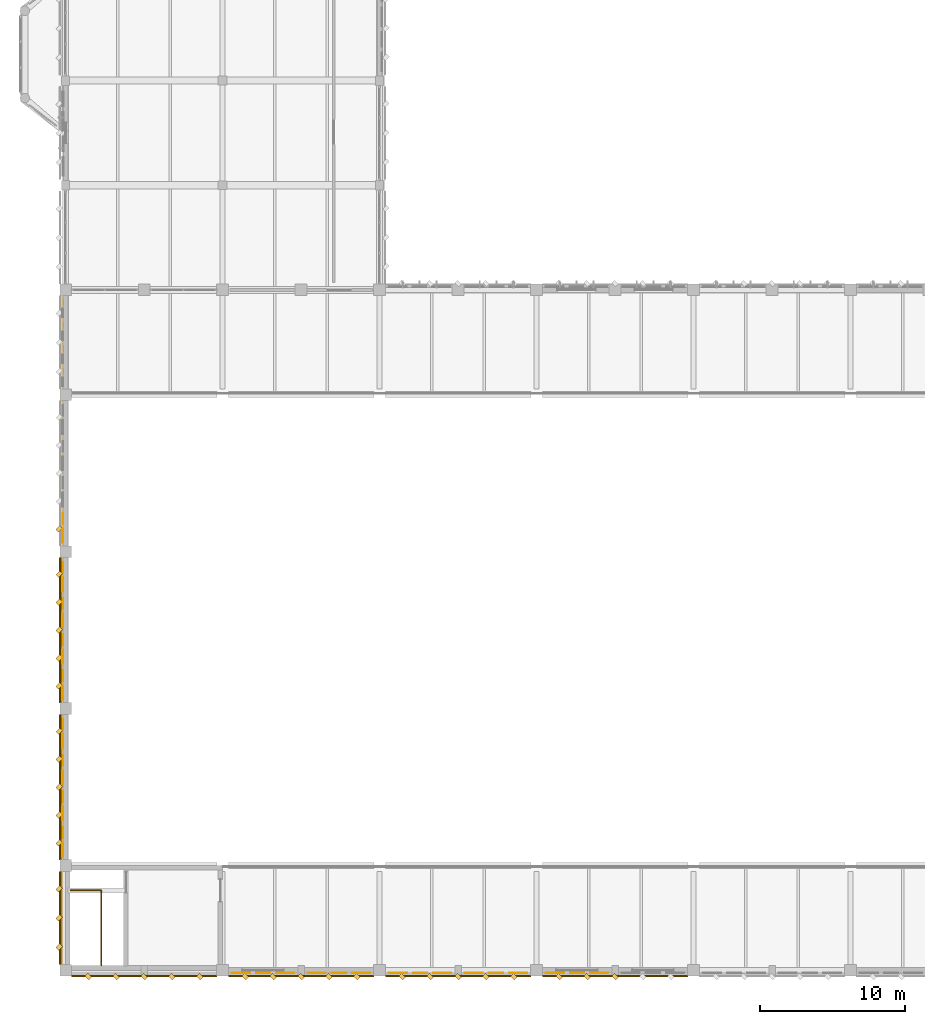
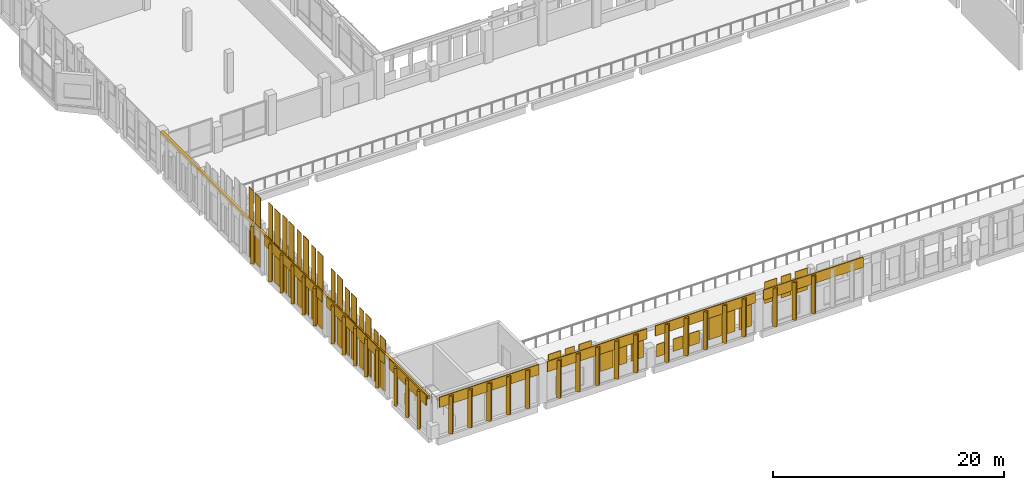
# One storey, part 139 of 158: 73 coverings, 1 railing.
"""IFC4 building model written with IfcOpenShell, lengths in metres."""

from ifc_helpers import new_model, si_unit, direction, frame, origin, origin_2d, place, context, subcontext, project, spatial, rectangle, circle, extrude, material, layer, layer_set, type_object, element, save


model = new_model("IFC4")

# Units and contexts
model_context = context("Model", 3, precision=1e-05, world=origin(), true_north=direction((0.0, 1.0)))
body_context = subcontext(model_context, "Body", "Model", "MODEL_VIEW")
ifc_project = project(units=[si_unit("LENGTHUNIT", "METRE"), si_unit("AREAUNIT", "SQUARE_METRE"), si_unit("VOLUMEUNIT", "CUBIC_METRE"), si_unit("PLANEANGLEUNIT", "RADIAN"), si_unit("MASSUNIT", "GRAM", prefix="KILO")], contexts=[model_context])

# Site, building, storey
site_placement = place(None, origin())
site = spatial("IfcSite", under=ifc_project, at=site_placement, CompositionType="ELEMENT")
building_placement = place(site_placement, origin())
building = spatial("IfcBuilding", under=site, at=building_placement, Name="Lusvemor Sports Hall", CompositionType="ELEMENT")
storey_placement = place(building_placement, frame((0.0, 0.0, 10.800048828125)))
storey = spatial("IfcBuildingStorey", under=building, at=storey_placement, Name="L02", CompositionType="ELEMENT", Elevation=10.800048828125)

# Coverings
ifc_material_1 = material(Name="Precast granite-faced Concrete C40/50 architectural cladding", Category="masonry")
ifc_layer_1 = layer(ifc_material_1, 0.055908203125)
ifc_layer_set_1 = layer_set([ifc_layer_1], Name="Precast granite-faced Concrete C40/50 architectural cladding")
covering_type_1 = type_object("IfcCoveringType", Name="CLAD_RELIEF_FRIEZE", PredefinedType="CLADDING", material=ifc_layer_set_1)
covering_1_placement = place(storey_placement, frame((-0.219970703125, 23.39990234375, 3.8798828125), z_axis=(0.0, 0.0, 1.0), x_axis=(1.0, 0.0, 0.0)))
element("IfcCovering", 1, at=covering_1_placement, inside=storey, type_object=covering_type_1, Name="Art Nouveau Sculpted Roofline Cornice 979", PredefinedType="CLADDING", context=body_context, shape_type="SweptSolid", body=[
    extrude(rectangle(XDim=0.239990234375, YDim=46.199951171875, at=origin_2d()), origin(), (0.0, 0.0, 1.0), 0.320068359375),
])
ifc_material_2 = material(Name="Emerald polychrome glazed ceramic cladding on Concrete C40/50 backing", Category="concrete")
ifc_layer_2 = layer(ifc_material_2, 0.0458984375)
ifc_layer_set_2 = layer_set([ifc_layer_2], Name="Emerald polychrome glazed ceramic cladding on Concrete C40/50 backing")
covering_type_2 = type_object("IfcCoveringType", Name="CLAD_WAVE_EMERALD", PredefinedType="CLADDING", material=ifc_layer_set_2)
for number, where, z_axis, x_axis, name in (
    (2, (12.070068359375, -0.1904296875, 3.27685546875), (0.0, 0.0, 1.0), (1.0, 0.0, 0.0), "Art Nouveau Patterned Cladding PS-WAVES-1-1-1"),
    (3, (15.110107421875, -0.1904296875, 3.27685546875), (0.0, 0.0, 1.0), (1.0, 0.0, 0.0), "Art Nouveau Patterned Cladding PS-WAVES-1-1-3"),
):
    element("IfcCovering", number, at=place(storey_placement, frame(where, z_axis=z_axis, x_axis=x_axis)), inside=storey, type_object=covering_type_2, Name=name, PredefinedType="CLADDING", context=body_context, shape_type="SweptSolid", body=[
        extrude(rectangle(XDim=1.246337890625, YDim=0.0458984375, at=origin_2d()), origin(), (0.0, 0.0, 1.0), 1.507080078125),
    ])
for number, where, z_axis, x_axis, name in (
    (4, (17.2900390625, -0.1904296875, 1.17919921875), (0.0, 0.0, 1.0), (1.0, 0.0, 0.0), "Art Nouveau Patterned Cladding PS-WAVES-1-2-1"),
    (5, (20.330078125, -0.1904296875, 1.17919921875), (0.0, 0.0, 1.0), (1.0, 0.0, 0.0), "Art Nouveau Patterned Cladding PS-WAVES-1-2-3"),
):
    element("IfcCovering", number, at=place(storey_placement, frame(where, z_axis=z_axis, x_axis=x_axis)), inside=storey, type_object=covering_type_2, Name=name, PredefinedType="CLADDING", context=body_context, shape_type="SweptSolid", body=[
        extrude(rectangle(XDim=1.246337890625, YDim=0.0458984375, at=origin_2d()), origin(), (0.0, 0.0, 1.0), 2.992919921875),
    ])
for number, where, z_axis, x_axis, name in (
    (6, (22.8701171875, -0.1904296875, 0.746337890625), (0.0, 0.0, 1.0), (1.0, 0.0, 0.0), "Art Nouveau Patterned Cladding PS-WAVES-2-1-1"),
    (7, (25.909912109375, -0.1904296875, 0.746337890625), (0.0, 0.0, 1.0), (1.0, 0.0, 0.0), "Art Nouveau Patterned Cladding PS-WAVES-2-1-3"),
):
    element("IfcCovering", number, at=place(storey_placement, frame(where, z_axis=z_axis, x_axis=x_axis)), inside=storey, type_object=covering_type_2, Name=name, PredefinedType="CLADDING", context=body_context, shape_type="SweptSolid", body=[
        extrude(rectangle(XDim=1.246337890625, YDim=0.0458984375, at=origin_2d()), origin(), (0.0, 0.0, 1.0), 1.3056640625),
    ])
for number, where, z_axis, x_axis, name in (
    (8, (28.090087890625, -0.1904296875, 0.7236328125), (0.0, 0.0, 1.0), (1.0, 0.0, 0.0), "Art Nouveau Patterned Cladding PS-WAVES-2-2-1"),
    (9, (31.1298828125, -0.1904296875, 0.7236328125), (0.0, 0.0, 1.0), (1.0, 0.0, 0.0), "Art Nouveau Patterned Cladding PS-WAVES-2-2-3"),
):
    element("IfcCovering", number, at=place(storey_placement, frame(where, z_axis=z_axis, x_axis=x_axis)), inside=storey, type_object=covering_type_2, Name=name, PredefinedType="CLADDING", context=body_context, shape_type="SweptSolid", body=[
        extrude(rectangle(XDim=1.246337890625, YDim=0.0458984375, at=origin_2d()), origin(), (0.0, 0.0, 1.0), 2.690185546875),
    ])
for number, where, z_axis, x_axis, name in (
    (10, (33.669921875, -0.1904296875, 2.601318359375), (0.0, 0.0, 1.0), (1.0, 0.0, 0.0), "Art Nouveau Patterned Cladding PS-WAVES-3-1-1"),
    (11, (36.7099609375, -0.1904296875, 2.601318359375), (0.0, 0.0, 1.0), (1.0, 0.0, 0.0), "Art Nouveau Patterned Cladding PS-WAVES-3-1-3"),
):
    element("IfcCovering", number, at=place(storey_placement, frame(where, z_axis=z_axis, x_axis=x_axis)), inside=storey, type_object=covering_type_2, Name=name, PredefinedType="CLADDING", context=body_context, shape_type="SweptSolid", body=[
        extrude(rectangle(XDim=1.246337890625, YDim=0.0458984375, at=origin_2d()), origin(), (0.0, 0.0, 1.0), 2.275390625),
    ])
covering_2_placement = place(storey_placement, frame((-0.1904296875, 8.291259765625, 0.080078125), z_axis=(0.0, 0.0, 1.0), x_axis=(1.0, 0.0, 0.0)))
element("IfcCovering", 12, at=covering_2_placement, inside=storey, type_object=covering_type_2, Name="Art Nouveau Patterned Cladding PS-V1WTY-2-0-1", PredefinedType="CLADDING", context=body_context, shape_type="SweptSolid", body=[
    extrude(rectangle(XDim=0.0458984375, YDim=0.953369140625, at=origin_2d()), origin(), (0.0, 0.0, 1.0), 5.441650390625),
])
covering_3_placement = place(storey_placement, frame((-0.1904296875, 10.7763671875, 0.080078125), z_axis=(0.0, 0.0, 1.0), x_axis=(1.0, 0.0, 0.0)))
element("IfcCovering", 13, at=covering_3_placement, inside=storey, type_object=covering_type_2, Name="Art Nouveau Patterned Cladding PS-V1WTY-2-1-1", PredefinedType="CLADDING", context=body_context, shape_type="SweptSolid", body=[
    extrude(rectangle(XDim=0.0458984375, YDim=0.953369140625, at=origin_2d()), origin(), (0.0, 0.0, 1.0), 6.217041015625),
])
covering_4_placement = place(storey_placement, frame((-0.1904296875, 13.26123046875, 0.080078125), z_axis=(0.0, 0.0, 1.0), x_axis=(1.0, 0.0, 0.0)))
element("IfcCovering", 14, at=covering_4_placement, inside=storey, type_object=covering_type_2, Name="Art Nouveau Patterned Cladding PS-V1WTY-2-2-1", PredefinedType="CLADDING", context=body_context, shape_type="SweptSolid", body=[
    extrude(rectangle(XDim=0.0458984375, YDim=0.953125, at=origin_2d()), origin(), (0.0, 0.0, 1.0), 6.847412109375),
])
covering_5_placement = place(storey_placement, frame((-0.1904296875, 15.74609375, 0.080078125), z_axis=(0.0, 0.0, 1.0), x_axis=(1.0, 0.0, 0.0)))
element("IfcCovering", 15, at=covering_5_placement, inside=storey, type_object=covering_type_2, Name="Art Nouveau Patterned Cladding PS-V1WTY-2-3-1", PredefinedType="CLADDING", context=body_context, shape_type="SweptSolid", body=[
    extrude(rectangle(XDim=0.0458984375, YDim=0.953125, at=origin_2d()), origin(), (0.0, 0.0, 1.0), 7.33251953125),
])
covering_6_placement = place(storey_placement, frame((-0.1904296875, 19.09130859375, 0.079833984375), z_axis=(0.0, 0.0, 1.0), x_axis=(1.0, 0.0, 0.0)))
element("IfcCovering", 16, at=covering_6_placement, inside=storey, type_object=covering_type_2, Name="Art Nouveau Patterned Cladding PS-V1WTY-3-0-1", PredefinedType="CLADDING", context=body_context, shape_type="SweptSolid", body=[
    extrude(rectangle(XDim=0.0458984375, YDim=0.953125, at=origin_2d()), origin(), (0.0, 0.0, 1.0), 7.7568359375),
])
covering_7_placement = place(storey_placement, frame((-0.1904296875, 21.576171875, 0.079833984375), z_axis=(0.0, 0.0, 1.0), x_axis=(1.0, 0.0, 0.0)))
element("IfcCovering", 17, at=covering_7_placement, inside=storey, type_object=covering_type_2, Name="Art Nouveau Patterned Cladding PS-V1WTY-3-1-1", PredefinedType="CLADDING", context=body_context, shape_type="SweptSolid", body=[
    extrude(rectangle(XDim=0.0458984375, YDim=0.953125, at=origin_2d()), origin(), (0.0, 0.0, 1.0), 7.90185546875),
])
covering_8_placement = place(storey_placement, frame((-0.1904296875, 24.061279296875, 0.079833984375), z_axis=(0.0, 0.0, 1.0), x_axis=(1.0, 0.0, 0.0)))
element("IfcCovering", 18, at=covering_8_placement, inside=storey, type_object=covering_type_2, Name="Art Nouveau Patterned Cladding PS-V1WTY-3-2-1", PredefinedType="CLADDING", context=body_context, shape_type="SweptSolid", body=[
    extrude(rectangle(XDim=0.0458984375, YDim=0.953369140625, at=origin_2d()), origin(), (0.0, 0.0, 1.0), 7.90185546875),
])
covering_9_placement = place(storey_placement, frame((-0.1904296875, 26.54638671875, 0.079833984375), z_axis=(0.0, 0.0, 1.0), x_axis=(1.0, 0.0, 0.0)))
element("IfcCovering", 19, at=covering_9_placement, inside=storey, type_object=covering_type_2, Name="Art Nouveau Patterned Cladding PS-V1WTY-3-3-1", PredefinedType="CLADDING", context=body_context, shape_type="SweptSolid", body=[
    extrude(rectangle(XDim=0.0458984375, YDim=0.953125, at=origin_2d()), origin(), (0.0, 0.0, 1.0), 7.7568359375),
])
covering_10_placement = place(storey_placement, frame((-0.1904296875, 29.89111328125, 0.080078125), z_axis=(0.0, 0.0, 1.0), x_axis=(1.0, 0.0, 0.0)))
element("IfcCovering", 20, at=covering_10_placement, inside=storey, type_object=covering_type_2, Name="Art Nouveau Patterned Cladding PS-V1WTY-4-0-1", PredefinedType="CLADDING", context=body_context, shape_type="SweptSolid", body=[
    extrude(rectangle(XDim=0.0458984375, YDim=0.953125, at=origin_2d()), origin(), (0.0, 0.0, 1.0), 7.33251953125),
])
for number, where, z_axis, x_axis, name in (
    (21, (3.47998046875, -0.43994140625, 0.099853515625), (0.0, 0.0, 1.0), (0.707106781187, 0.707106781187, 0.0), "Patterned Diamond Cladding Rib 23"),
    (22, (7.320068359375, -0.43994140625, 0.099853515625), (0.0, 0.0, 1.0), (0.707106781187, 0.707106781187, 0.0), "Patterned Diamond Cladding Rib 25"),
    (23, (14.280029296875, -0.43994140625, 0.099853515625), (0.0, 0.0, 1.0), (0.707106781187, 0.707106781187, 0.0), "Patterned Diamond Cladding Rib 41"),
    (24, (18.1201171875, -0.43994140625, 0.099853515625), (0.0, 0.0, 1.0), (0.707106781187, 0.707106781187, 0.0), "Patterned Diamond Cladding Rib 43"),
    (25, (25.080078125, -0.43994140625, 0.099853515625), (0.0, 0.0, 1.0), (0.707106781187, 0.707106781187, 0.0), "Patterned Diamond Cladding Rib 59"),
    (26, (28.919921875, -0.43994140625, 0.099853515625), (0.0, 0.0, 1.0), (0.707106781187, 0.707106781187, 0.0), "Patterned Diamond Cladding Rib 61"),
    (27, (35.8798828125, -0.43994140625, 0.099853515625), (0.0, 0.0, 1.0), (0.707106781187, 0.707106781187, 0.0), "Patterned Diamond Cladding Rib 77"),
):
    element("IfcCovering", number, at=place(storey_placement, frame(where, z_axis=z_axis, x_axis=x_axis)), inside=storey, type_object=covering_type_2, Name=name, PredefinedType="CLADDING", context=body_context, shape_type="SweptSolid", body=[
        extrude(rectangle(XDim=0.280029296875, YDim=0.3798828125, at=origin_2d()), origin(), (0.0, 0.0, 1.0), 4.0),
    ])
for number, where, z_axis, x_axis, name in (
    (28, (-0.43994140625, 3.60009765625, 0.099853515625), (0.0, 0.0, 1.0), (0.707106781187, 0.707106781187, 0.0), "Patterned Diamond Cladding Rib 911"),
    (29, (-0.43994140625, 10.679931640625, 0.099853515625), (0.0, 0.0, 1.0), (0.707106781187, 0.707106781187, 0.0), "Patterned Diamond Cladding Rib 927"),
    (30, (-0.43994140625, 14.52001953125, 0.099853515625), (0.0, 0.0, 1.0), (0.707106781187, 0.707106781187, 0.0), "Patterned Diamond Cladding Rib 929"),
    (31, (-0.43994140625, 21.47998046875, 0.099853515625), (0.0, 0.0, 1.0), (0.707106781187, 0.707106781187, 0.0), "Patterned Diamond Cladding Rib 945"),
    (32, (-0.43994140625, 25.320068359375, 0.099853515625), (0.0, 0.0, 1.0), (0.707106781187, 0.707106781187, 0.0), "Patterned Diamond Cladding Rib 947"),
):
    element("IfcCovering", number, at=place(storey_placement, frame(where, z_axis=z_axis, x_axis=x_axis)), inside=storey, type_object=covering_type_2, Name=name, PredefinedType="CLADDING", context=body_context, shape_type="SweptSolid", body=[
        extrude(rectangle(XDim=0.3798828125, YDim=0.280029296875, at=origin_2d()), origin(), (0.0, 0.0, 1.0), 4.0),
    ])
ifc_material_3 = material(Name="Warm terracotta Art Nouveau ceramic cladding on Concrete C40/50 backing", Category="masonry")
ifc_layer_3 = layer(ifc_material_3, 0.0380859375)
ifc_layer_set_3 = layer_set([ifc_layer_3], Name="Warm terracotta Art Nouveau ceramic cladding on Concrete C40/50 backing")
covering_type_3 = type_object("IfcCoveringType", Name="CLAD_WAVE_OCHRE", PredefinedType="CLADDING", material=ifc_layer_set_3)
covering_11_placement = place(storey_placement, frame((13.590087890625, -0.1865234375, 3.27685546875), z_axis=(0.0, 0.0, 1.0), x_axis=(1.0, 0.0, 0.0)))
element("IfcCovering", 33, at=covering_11_placement, inside=storey, type_object=covering_type_3, Name="Art Nouveau Patterned Cladding PS-WAVES-1-1-2", PredefinedType="CLADDING", context=body_context, shape_type="SweptSolid", body=[
    extrude(rectangle(XDim=0.972900390625, YDim=0.0380859375, at=origin_2d()), origin(), (0.0, 0.0, 1.0), 1.507080078125),
])
covering_12_placement = place(storey_placement, frame((18.81005859375, -0.1865234375, 1.17919921875), z_axis=(0.0, 0.0, 1.0), x_axis=(1.0, 0.0, 0.0)))
element("IfcCovering", 34, at=covering_12_placement, inside=storey, type_object=covering_type_3, Name="Art Nouveau Patterned Cladding PS-WAVES-1-2-2", PredefinedType="CLADDING", context=body_context, shape_type="SweptSolid", body=[
    extrude(rectangle(XDim=0.972900390625, YDim=0.0380859375, at=origin_2d()), origin(), (0.0, 0.0, 1.0), 2.992919921875),
])
covering_13_placement = place(storey_placement, frame((24.389892578125, -0.1865234375, 0.746337890625), z_axis=(0.0, 0.0, 1.0), x_axis=(1.0, 0.0, 0.0)))
element("IfcCovering", 35, at=covering_13_placement, inside=storey, type_object=covering_type_3, Name="Art Nouveau Patterned Cladding PS-WAVES-2-1-2", PredefinedType="CLADDING", context=body_context, shape_type="SweptSolid", body=[
    extrude(rectangle(XDim=0.972900390625, YDim=0.0380859375, at=origin_2d()), origin(), (0.0, 0.0, 1.0), 1.3056640625),
])
covering_14_placement = place(storey_placement, frame((29.610107421875, -0.1865234375, 0.7236328125), z_axis=(0.0, 0.0, 1.0), x_axis=(1.0, 0.0, 0.0)))
element("IfcCovering", 36, at=covering_14_placement, inside=storey, type_object=covering_type_3, Name="Art Nouveau Patterned Cladding PS-WAVES-2-2-2", PredefinedType="CLADDING", context=body_context, shape_type="SweptSolid", body=[
    extrude(rectangle(XDim=0.972900390625, YDim=0.0380859375, at=origin_2d()), origin(), (0.0, 0.0, 1.0), 2.690185546875),
])
covering_15_placement = place(storey_placement, frame((35.18994140625, -0.1865234375, 2.601318359375), z_axis=(0.0, 0.0, 1.0), x_axis=(1.0, 0.0, 0.0)))
element("IfcCovering", 37, at=covering_15_placement, inside=storey, type_object=covering_type_3, Name="Art Nouveau Patterned Cladding PS-WAVES-3-1-2", PredefinedType="CLADDING", context=body_context, shape_type="SweptSolid", body=[
    extrude(rectangle(XDim=0.972900390625, YDim=0.0380859375, at=origin_2d()), origin(), (0.0, 0.0, 1.0), 2.275390625),
])
covering_16_placement = place(storey_placement, frame((-0.1865234375, 9.45361328125, 0.080078125), z_axis=(0.0, 0.0, 1.0), x_axis=(1.0, 0.0, 0.0)))
element("IfcCovering", 38, at=covering_16_placement, inside=storey, type_object=covering_type_3, Name="Art Nouveau Patterned Cladding PS-V1WTY-2-0-2", PredefinedType="CLADDING", context=body_context, shape_type="SweptSolid", body=[
    extrude(rectangle(XDim=0.0380859375, YDim=0.743896484375, at=origin_2d()), origin(), (0.0, 0.0, 1.0), 5.441650390625),
])
covering_17_placement = place(storey_placement, frame((-0.1865234375, 11.938720703125, 0.080078125), z_axis=(0.0, 0.0, 1.0), x_axis=(1.0, 0.0, 0.0)))
element("IfcCovering", 39, at=covering_17_placement, inside=storey, type_object=covering_type_3, Name="Art Nouveau Patterned Cladding PS-V1WTY-2-1-2", PredefinedType="CLADDING", context=body_context, shape_type="SweptSolid", body=[
    extrude(rectangle(XDim=0.0380859375, YDim=0.743896484375, at=origin_2d()), origin(), (0.0, 0.0, 1.0), 6.217041015625),
])
covering_18_placement = place(storey_placement, frame((-0.1865234375, 14.423828125, 0.080078125), z_axis=(0.0, 0.0, 1.0), x_axis=(1.0, 0.0, 0.0)))
element("IfcCovering", 40, at=covering_18_placement, inside=storey, type_object=covering_type_3, Name="Art Nouveau Patterned Cladding PS-V1WTY-2-2-2", PredefinedType="CLADDING", context=body_context, shape_type="SweptSolid", body=[
    extrude(rectangle(XDim=0.0380859375, YDim=0.743896484375, at=origin_2d()), origin(), (0.0, 0.0, 1.0), 6.847412109375),
])
covering_19_placement = place(storey_placement, frame((-0.1865234375, 16.90869140625, 0.080078125), z_axis=(0.0, 0.0, 1.0), x_axis=(1.0, 0.0, 0.0)))
element("IfcCovering", 41, at=covering_19_placement, inside=storey, type_object=covering_type_3, Name="Art Nouveau Patterned Cladding PS-V1WTY-2-3-2", PredefinedType="CLADDING", context=body_context, shape_type="SweptSolid", body=[
    extrude(rectangle(XDim=0.0380859375, YDim=0.743896484375, at=origin_2d()), origin(), (0.0, 0.0, 1.0), 7.33251953125),
])
covering_20_placement = place(storey_placement, frame((-0.1865234375, 20.253662109375, 0.079833984375), z_axis=(0.0, 0.0, 1.0), x_axis=(1.0, 0.0, 0.0)))
element("IfcCovering", 42, at=covering_20_placement, inside=storey, type_object=covering_type_3, Name="Art Nouveau Patterned Cladding PS-V1WTY-3-0-2", PredefinedType="CLADDING", context=body_context, shape_type="SweptSolid", body=[
    extrude(rectangle(XDim=0.0380859375, YDim=0.743896484375, at=origin_2d()), origin(), (0.0, 0.0, 1.0), 7.7568359375),
])
for number, where, z_axis, x_axis, name in (
    (43, (-0.1865234375, 22.73876953125, 0.079833984375), (0.0, 0.0, 1.0), (1.0, 0.0, 0.0), "Art Nouveau Patterned Cladding PS-V1WTY-3-1-2"),
    (44, (-0.1865234375, 25.2236328125, 0.079833984375), (0.0, 0.0, 1.0), (1.0, 0.0, 0.0), "Art Nouveau Patterned Cladding PS-V1WTY-3-2-2"),
):
    element("IfcCovering", number, at=place(storey_placement, frame(where, z_axis=z_axis, x_axis=x_axis)), inside=storey, type_object=covering_type_3, Name=name, PredefinedType="CLADDING", context=body_context, shape_type="SweptSolid", body=[
        extrude(rectangle(XDim=0.0380859375, YDim=0.743896484375, at=origin_2d()), origin(), (0.0, 0.0, 1.0), 7.90185546875),
    ])
covering_21_placement = place(storey_placement, frame((-0.1865234375, 27.708740234375, 0.079833984375), z_axis=(0.0, 0.0, 1.0), x_axis=(1.0, 0.0, 0.0)))
element("IfcCovering", 45, at=covering_21_placement, inside=storey, type_object=covering_type_3, Name="Art Nouveau Patterned Cladding PS-V1WTY-3-3-2", PredefinedType="CLADDING", context=body_context, shape_type="SweptSolid", body=[
    extrude(rectangle(XDim=0.0380859375, YDim=0.743896484375, at=origin_2d()), origin(), (0.0, 0.0, 1.0), 7.7568359375),
])
covering_22_placement = place(storey_placement, frame((-0.1865234375, 31.0537109375, 0.080078125), z_axis=(0.0, 0.0, 1.0), x_axis=(1.0, 0.0, 0.0)))
element("IfcCovering", 46, at=covering_22_placement, inside=storey, type_object=covering_type_3, Name="Art Nouveau Patterned Cladding PS-V1WTY-4-0-2", PredefinedType="CLADDING", context=body_context, shape_type="SweptSolid", body=[
    extrude(rectangle(XDim=0.0380859375, YDim=0.743896484375, at=origin_2d()), origin(), (0.0, 0.0, 1.0), 7.33251953125),
])
for number, where, z_axis, x_axis, name in (
    (47, (5.39990234375, -0.389892578125, 3.179931640625), (0.0, 0.0, 1.0), (1.0, 0.0, 0.0), "Art Nouveau Spandrel Cornice 21"),
    (48, (16.199951171875, -0.389892578125, 3.179931640625), (0.0, 0.0, 1.0), (1.0, 0.0, 0.0), "Art Nouveau Spandrel Cornice 39"),
    (49, (27.0, -0.389892578125, 3.179931640625), (0.0, 0.0, 1.0), (1.0, 0.0, 0.0), "Art Nouveau Spandrel Cornice 57"),
    (50, (37.800048828125, -0.389892578125, 3.179931640625), (0.0, 0.0, 1.0), (1.0, 0.0, 0.0), "Art Nouveau Spandrel Cornice 75"),
):
    element("IfcCovering", number, at=place(storey_placement, frame(where, z_axis=z_axis, x_axis=x_axis)), inside=storey, type_object=covering_type_3, Name=name, PredefinedType="CLADDING", context=body_context, shape_type="SweptSolid", body=[
        extrude(rectangle(XDim=9.97998046875, YDim=0.090087890625, at=origin_2d()), origin(), (0.0, 0.0, 1.0), 1.080078125),
    ])
covering_23_placement = place(storey_placement, frame((-0.389892578125, 3.60009765625, 3.179931640625), z_axis=(0.0, 0.0, 1.0), x_axis=(1.0, 0.0, 0.0)))
element("IfcCovering", 51, at=covering_23_placement, inside=storey, type_object=covering_type_3, Name="Art Nouveau Spandrel Cornice 909", PredefinedType="CLADDING", context=body_context, shape_type="SweptSolid", body=[
    extrude(rectangle(XDim=0.090087890625, YDim=6.3798828125, at=origin_2d()), origin(), (0.0, 0.0, 1.0), 1.080078125),
])
for number, where, z_axis, x_axis, name in (
    (52, (-0.389892578125, 12.60009765625, 3.179931640625), (0.0, 0.0, 1.0), (1.0, 0.0, 0.0), "Art Nouveau Spandrel Cornice 925"),
    (53, (-0.389892578125, 23.39990234375, 3.179931640625), (0.0, 0.0, 1.0), (1.0, 0.0, 0.0), "Art Nouveau Spandrel Cornice 943"),
):
    element("IfcCovering", number, at=place(storey_placement, frame(where, z_axis=z_axis, x_axis=x_axis)), inside=storey, type_object=covering_type_3, Name=name, PredefinedType="CLADDING", context=body_context, shape_type="SweptSolid", body=[
        extrude(rectangle(XDim=0.090087890625, YDim=9.97998046875, at=origin_2d()), origin(), (0.0, 0.0, 1.0), 1.080078125),
    ])
ifc_material_4 = material(Name="Warm terracotta Art Nouveau ceramic cladding on Concrete C40/50 backing", Category="masonry")
ifc_layer_4 = layer(ifc_material_4, 0.449951171875)
ifc_layer_set_4 = layer_set([ifc_layer_4], Name="Warm terracotta Art Nouveau ceramic cladding on Concrete C40/50 backing")
covering_type_4 = type_object("IfcCoveringType", Name="FIN_BRISE_CER_450", PredefinedType="MOLDING", material=ifc_layer_set_4)
for number, where, z_axis, x_axis, name in (
    (54, (1.56005859375, -0.43994140625, 0.099853515625), (0.0, 0.0, 1.0), (0.707106781187, 0.707106781187, 0.0), "Patterned Diamond Cladding Rib 22"),
    (55, (5.39990234375, -0.43994140625, 0.099853515625), (0.0, 0.0, 1.0), (0.707106781187, 0.707106781187, 0.0), "Patterned Diamond Cladding Rib 24"),
    (56, (9.239990234375, -0.43994140625, 0.099853515625), (0.0, 0.0, 1.0), (0.707106781187, 0.707106781187, 0.0), "Patterned Diamond Cladding Rib 26"),
    (57, (12.360107421875, -0.43994140625, 0.099853515625), (0.0, 0.0, 1.0), (0.707106781187, 0.707106781187, 0.0), "Patterned Diamond Cladding Rib 40"),
    (58, (16.199951171875, -0.43994140625, 0.099853515625), (0.0, 0.0, 1.0), (0.707106781187, 0.707106781187, 0.0), "Patterned Diamond Cladding Rib 42"),
    (59, (20.0400390625, -0.43994140625, 0.099853515625), (0.0, 0.0, 1.0), (0.707106781187, 0.707106781187, 0.0), "Patterned Diamond Cladding Rib 44"),
    (60, (23.159912109375, -0.43994140625, 0.099853515625), (0.0, 0.0, 1.0), (0.707106781187, 0.707106781187, 0.0), "Patterned Diamond Cladding Rib 58"),
    (61, (27.0, -0.43994140625, 0.099853515625), (0.0, 0.0, 1.0), (0.707106781187, 0.707106781187, 0.0), "Patterned Diamond Cladding Rib 60"),
    (62, (30.840087890625, -0.43994140625, 0.099853515625), (0.0, 0.0, 1.0), (0.707106781187, 0.707106781187, 0.0), "Patterned Diamond Cladding Rib 62"),
    (63, (33.9599609375, -0.43994140625, 0.099853515625), (0.0, 0.0, 1.0), (0.707106781187, 0.707106781187, 0.0), "Patterned Diamond Cladding Rib 76"),
    (64, (37.800048828125, -0.43994140625, 0.099853515625), (0.0, 0.0, 1.0), (0.707106781187, 0.707106781187, 0.0), "Patterned Diamond Cladding Rib 78"),
):
    element("IfcCovering", number, at=place(storey_placement, frame(where, z_axis=z_axis, x_axis=x_axis)), inside=storey, type_object=covering_type_4, Name=name, PredefinedType="MOLDING", context=body_context, shape_type="SweptSolid", body=[
        extrude(rectangle(XDim=0.280029296875, YDim=0.3798828125, at=origin_2d()), origin(), (0.0, 0.0, 1.0), 4.0),
    ])
for number, where, z_axis, x_axis, name in (
    (65, (-0.43994140625, 1.60009765625, 0.099853515625), (0.0, 0.0, 1.0), (0.707106781187, 0.707106781187, 0.0), "Patterned Diamond Cladding Rib 910"),
    (66, (-0.43994140625, 5.60009765625, 0.099853515625), (0.0, 0.0, 1.0), (0.707106781187, 0.707106781187, 0.0), "Patterned Diamond Cladding Rib 912"),
    (67, (-0.43994140625, 8.760009765625, 0.099853515625), (0.0, 0.0, 1.0), (0.707106781187, 0.707106781187, 0.0), "Patterned Diamond Cladding Rib 926"),
    (68, (-0.43994140625, 12.60009765625, 0.099853515625), (0.0, 0.0, 1.0), (0.707106781187, 0.707106781187, 0.0), "Patterned Diamond Cladding Rib 928"),
    (69, (-0.43994140625, 16.43994140625, 0.099853515625), (0.0, 0.0, 1.0), (0.707106781187, 0.707106781187, 0.0), "Patterned Diamond Cladding Rib 930"),
    (70, (-0.43994140625, 19.56005859375, 0.099853515625), (0.0, 0.0, 1.0), (0.707106781187, 0.707106781187, 0.0), "Patterned Diamond Cladding Rib 944"),
    (71, (-0.43994140625, 23.39990234375, 0.099853515625), (0.0, 0.0, 1.0), (0.707106781187, 0.707106781187, 0.0), "Patterned Diamond Cladding Rib 946"),
    (72, (-0.43994140625, 27.239990234375, 0.099853515625), (0.0, 0.0, 1.0), (0.707106781187, 0.707106781187, 0.0), "Patterned Diamond Cladding Rib 948"),
    (73, (-0.43994140625, 30.360107421875, 0.099853515625), (0.0, 0.0, 1.0), (0.707106781187, 0.707106781187, 0.0), "Patterned Diamond Cladding Rib 962"),
):
    element("IfcCovering", number, at=place(storey_placement, frame(where, z_axis=z_axis, x_axis=x_axis)), inside=storey, type_object=covering_type_4, Name=name, PredefinedType="MOLDING", context=body_context, shape_type="SweptSolid", body=[
        extrude(rectangle(XDim=0.3798828125, YDim=0.280029296875, at=origin_2d()), origin(), (0.0, 0.0, 1.0), 4.0),
    ])

# Railing
ifc_material_5 = material(Name="Bronze-finished wrought-steel Art Nouveau balustrade", Category="steel")
railing_type = type_object("IfcRailingType", Name="RAIL_STAIR_GUARD_112", PredefinedType="GUARDRAIL", material=ifc_material_5)
railing_placement = place(storey_placement, frame((0.340087890625, 5.5, 0.0)))
element("IfcRailing", 74, at=railing_placement, inside=storey, type_object=railing_type, Name="Stairwell C6 Top Guard (L02)", PredefinedType="GUARDRAIL", context=body_context, shape_type="SweptSolid", body=[
    extrude(circle(Radius=0.02392578125, at=origin_2d()), frame((0.0, 0.0, 1.09619140625), z_axis=(1.0, 0.0, 0.0), x_axis=(0.0, 1.0, 0.0)), (0.0, 0.0, 1.0), 2.119873046875),
    extrude(circle(Radius=0.02392578125, at=origin_2d()), frame((2.119873046875, 0.0, 1.09619140625), z_axis=(0.0, -1.0, 0.0), x_axis=(1.0, 0.0, 0.0)), (0.0, 0.0, 1.0), 5.159912109375),
    extrude(circle(Radius=0.02099609375, at=origin_2d()), origin(), (0.0, 0.0, 1.0), 1.072021484375),
    extrude(circle(Radius=0.02099609375, at=origin_2d()), frame((1.06005859375, 0.0, 0.0)), (0.0, 0.0, 1.0), 1.072021484375),
    extrude(circle(Radius=0.02099609375, at=origin_2d()), frame((2.119873046875, 0.0, 0.0)), (0.0, 0.0, 1.0), 1.072021484375),
    extrude(circle(Radius=0.02099609375, at=origin_2d()), frame((2.119873046875, -1.031982421875, 0.0)), (0.0, 0.0, 1.0), 1.072021484375),
    extrude(circle(Radius=0.02099609375, at=origin_2d()), frame((2.119873046875, -2.06396484375, 0.0)), (0.0, 0.0, 1.0), 1.072021484375),
    extrude(circle(Radius=0.02099609375, at=origin_2d()), frame((2.119873046875, -3.095947265625, 0.0)), (0.0, 0.0, 1.0), 1.072021484375),
    extrude(circle(Radius=0.02099609375, at=origin_2d()), frame((2.119873046875, -4.1279296875, 0.0)), (0.0, 0.0, 1.0), 1.072021484375),
    extrude(circle(Radius=0.02099609375, at=origin_2d()), frame((2.119873046875, -5.159912109375, 0.0)), (0.0, 0.0, 1.0), 1.072021484375),
])

save(model, "model.ifc")
